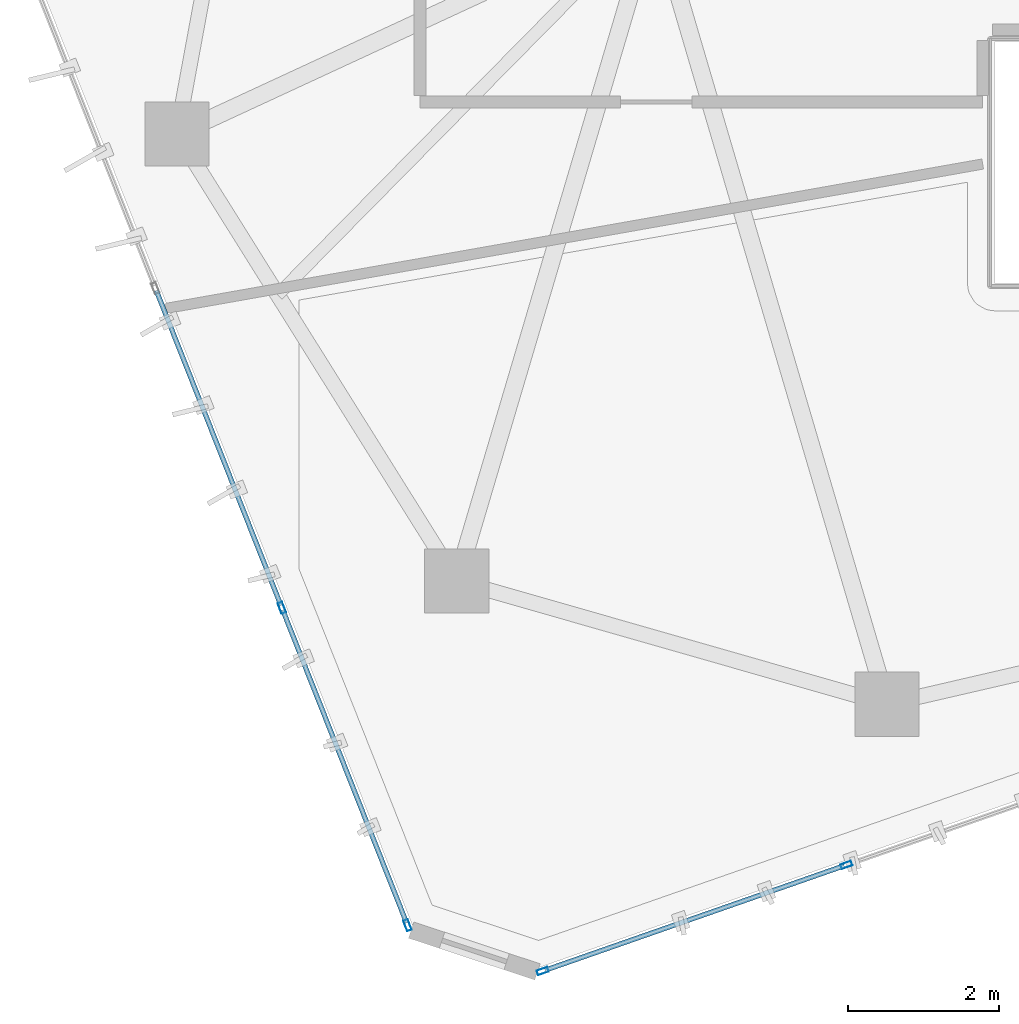
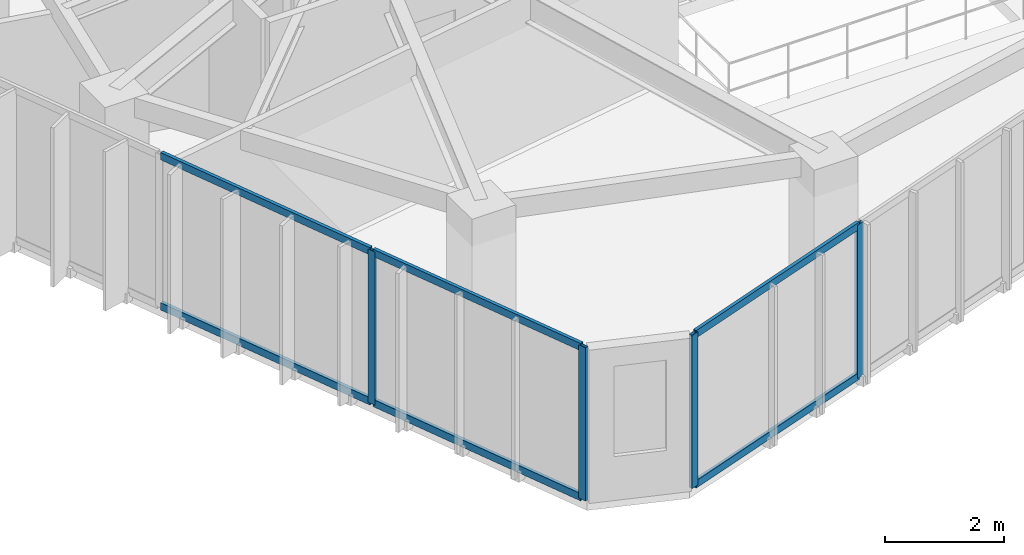
# One storey, part 2 of 20: 10 members, 2 elements without a shape of their own.
"""IFC4 building model written with IfcOpenShell, lengths in metres."""

import ifcopenshell
import ifcopenshell.guid

model = None  # the IFC model being written
_history = None  # IfcOwnerHistory: only IFC2X3 demands one
_inside = {}  # id of a spatial element -> (the spatial element, [elements in it])
_under = {}  # id of a project, library or spatial element -> (it, [spatial elements below it])
_declared = {}  # id of a project -> (the project, [libraries it declares])
_typed = {}  # id of a type object -> (the type object, [elements of that type])
_made_of = {}  # id of a material, layer set ... -> (it, [elements and type objects made of it])


def new_model(schema):
    """Start an empty IFC model of exactly this schema.

    Asked for "IFC4X3", IfcOpenShell would pick the latest addendum, in which some entities
    have other attributes; the version numbers below select the first issue.
    IFC2X3 requires an IfcOwnerHistory on every rooted entity: one is made here for all.
    """
    global model, _history
    if schema == "IFC4X3":
        model = ifcopenshell.file(schema_version=(4, 3, 0, 0))
    else:
        model = ifcopenshell.file(schema=schema)
    _inside.clear()
    _under.clear()
    _declared.clear()
    _typed.clear()
    _made_of.clear()
    _history = None
    if model.schema == "IFC2X3":
        org = make("IfcOrganization", Name="unknown")
        user = make(
            "IfcPersonAndOrganization",
            ThePerson=make("IfcPerson", FamilyName="unknown"),
            TheOrganization=org,
        )
        app = make(
            "IfcApplication",
            ApplicationDeveloper=org,
            Version="unknown",
            ApplicationFullName="unknown",
            ApplicationIdentifier="unknown",
        )
        _history = make(
            "IfcOwnerHistory",
            OwningUser=user,
            OwningApplication=app,
            ChangeAction="ADDED",
            CreationDate=0,
        )
    return model


def make(cls, **values):
    """One entity of the class cls with the attributes given. An attribute that is None is left unset."""
    return model.create_entity(
        cls, **{name: value for name, value in values.items() if value is not None}
    )


def rooted(cls, **values):
    """An entity with a GlobalId (a new one), such as an element, a storey or a relation."""
    return make(cls, GlobalId=ifcopenshell.guid.new(), OwnerHistory=_history, **values)


def si_unit(unit_type, name, prefix=None):
    """IfcSIUnit, for example si_unit("LENGTHUNIT", "METRE", prefix="MILLI")."""
    return make("IfcSIUnit", UnitType=unit_type, Prefix=prefix, Name=name)


def assignment(units):
    """IfcUnitAssignment: the units of a project."""
    return None if units is None else make("IfcUnitAssignment", Units=units)


def point(xyz):
    """IfcCartesianPoint."""
    return None if xyz is None else make("IfcCartesianPoint", Coordinates=xyz)


def direction(xyz):
    """IfcDirection."""
    return None if xyz is None else make("IfcDirection", DirectionRatios=xyz)


def frame(location, z_axis=None, x_axis=None):
    """IfcAxis2Placement3D, a coordinate frame: its origin and axes. An axis left out is left unset."""
    return make(
        "IfcAxis2Placement3D",
        Location=point(location),
        Axis=direction(z_axis),
        RefDirection=direction(x_axis),
    )


def frame_2d(location, x_axis=None):
    """IfcAxis2Placement2D, a coordinate frame in the plane: its origin and x axis."""
    return make(
        "IfcAxis2Placement2D", Location=point(location), RefDirection=direction(x_axis)
    )


def origin():
    """The frame at (0, 0, 0) with its axes left unset."""
    return frame((0.0, 0.0, 0.0))


def origin_2d():
    """The frame at (0, 0) in the plane with its x axis left unset."""
    return frame_2d((0.0, 0.0))


def place(relative_to, where):
    """IfcLocalPlacement: puts the frame where relative to a parent placement (None: the world)."""
    return make(
        "IfcLocalPlacement", PlacementRelTo=relative_to, RelativePlacement=where
    )


def context(
    kind, dimensions, precision=None, world=None, true_north=None, identifier=None
):
    """IfcGeometricRepresentationContext, for example the 3D "Model" context."""
    return make(
        "IfcGeometricRepresentationContext",
        ContextIdentifier=identifier,
        ContextType=kind,
        CoordinateSpaceDimension=dimensions,
        Precision=precision,
        WorldCoordinateSystem=world,
        TrueNorth=true_north,
    )


def subcontext(parent, identifier, kind, view, scale=None):
    """IfcGeometricRepresentationSubContext, for example "Body" below "Model"."""
    return make(
        "IfcGeometricRepresentationSubContext",
        ContextIdentifier=identifier,
        ContextType=kind,
        ParentContext=parent,
        TargetScale=scale,
        TargetView=view,
    )


def project(units=None, contexts=None):
    """IfcProject with its units and contexts."""
    return rooted(
        "IfcProject",
        Name="project",
        RepresentationContexts=contexts,
        UnitsInContext=assignment(units),
    )


def spatial(cls, under=None, at=None, **own):
    """A site, building, storey or space (cls), placed at a placement, below another one or the project."""
    s = rooted(cls, ObjectPlacement=at, **own)
    if under is not None:
        _under.setdefault(under.id(), (under, []))[1].append(s)
    return s


def profile(cls, at=None, kind="AREA", **sizes):
    """A parametric profile (cls). Its sizes go by their IFC names, for example OverallWidth=200.0."""
    return make(cls, ProfileType=kind, Position=at, **sizes)


def hollow_rectangle(**sizes):
    """IfcRectangleHollowProfileDef."""
    return profile("IfcRectangleHollowProfileDef", **sizes)


def extrude(swept, where, along, depth):
    """IfcExtrudedAreaSolid: the profile swept, set in the frame where, extruded along a direction by depth."""
    return make(
        "IfcExtrudedAreaSolid",
        SweptArea=swept,
        Position=where,
        ExtrudedDirection=direction(along),
        Depth=depth,
    )


def shape(context_of_items, identifier, shape_type, items):
    """IfcShapeRepresentation: the items that make up one representation, for example the "Body"."""
    return make(
        "IfcShapeRepresentation",
        ContextOfItems=context_of_items,
        RepresentationIdentifier=identifier,
        RepresentationType=shape_type,
        Items=items,
    )


def source(mapping_origin, context_of_items, identifier, shape_type, items):
    """IfcRepresentationMap: a shape defined once, which mapped items show again and again."""
    return make(
        "IfcRepresentationMap",
        MappingOrigin=mapping_origin,
        MappedRepresentation=shape(context_of_items, identifier, shape_type, items),
    )


def transform(
    local_origin,
    x_axis=None,
    y_axis=None,
    z_axis=None,
    scale=None,
    scale2=None,
    scale3=None,
    uniform=True,
):
    """IfcCartesianTransformationOperator3D, or its non-uniform kind. x_axis, y_axis, z_axis: its Axis1, 2, 3."""
    if uniform:
        return make(
            "IfcCartesianTransformationOperator3D",
            Axis1=direction(x_axis),
            Axis2=direction(y_axis),
            LocalOrigin=point(local_origin),
            Scale=scale,
            Axis3=direction(z_axis),
        )
    return make(
        "IfcCartesianTransformationOperator3DnonUniform",
        Axis1=direction(x_axis),
        Axis2=direction(y_axis),
        LocalOrigin=point(local_origin),
        Scale=scale,
        Axis3=direction(z_axis),
        Scale2=scale2,
        Scale3=scale3,
    )


def mapped(mapping_source, mapping_target):
    """IfcMappedItem: shows the shape of a source again, moved by a transform."""
    return make(
        "IfcMappedItem", MappingSource=mapping_source, MappingTarget=mapping_target
    )


def material(Name=None, Category=None):
    """IfcMaterial."""
    return make("IfcMaterial", Name=Name, Category=Category)


def layer(
    of_material, thickness, ventilated=None, Name=None, Category=None, Priority=None
):
    """IfcMaterialLayer: one layer of a wall or slab, of a material (None: an air gap)."""
    return make(
        "IfcMaterialLayer",
        Material=of_material,
        LayerThickness=thickness,
        IsVentilated=ventilated,
        Name=Name,
        Category=Category,
        Priority=Priority,
    )


def layer_set(layers, Name=None):
    """IfcMaterialLayerSet."""
    return make("IfcMaterialLayerSet", MaterialLayers=layers, LayerSetName=Name)


def material_profile(
    of_material, cross_section, Name=None, Category=None, Priority=None
):
    """IfcMaterialProfile: a cross section and its material."""
    return make(
        "IfcMaterialProfile",
        Name=Name,
        Material=of_material,
        Profile=cross_section,
        Priority=Priority,
        Category=Category,
    )


def profile_set(profiles, Name=None, composite=None):
    """IfcMaterialProfileSet."""
    return make(
        "IfcMaterialProfileSet",
        Name=Name,
        MaterialProfiles=profiles,
        CompositeProfile=composite,
    )


def made_of(thing, what):
    """Note that an element or type object is made of a material, layer set ...; save() writes the relation."""
    if what is not None:
        _made_of.setdefault(what.id(), (what, []))[1].append(thing)
    return thing


def type_object(cls, material=None, **own):
    """A type object (cls), such as IfcWallType, which elements share."""
    return made_of(rooted(cls, **own), material)


def type_shapes(of_type, sources):
    """Give a type object the sources (RepresentationMaps) that its elements show as mapped items."""
    of_type.RepresentationMaps = sources


def element(
    cls,
    number,
    at=None,
    inside=None,
    cuts=None,
    type_object=None,
    material=None,
    context=None,
    identifier="Body",
    shape_type=None,
    held_by="IfcProductDefinitionShape",
    body=None,
    shapes=None,
    **own,
):
    """One element of the class cls, such as IfcWall. Its Tag is "e" and its number.

    at: its placement. inside: the storey or other place that contains it. cuts: it is an
    opening in that element (IfcRelVoidsElement). A single representation is given by context,
    identifier, shape_type and body (its items); several are given by shapes. held_by: the class
    of the entity that holds the representations. save() writes the other relations.
    """
    e = rooted(cls, Tag="e%d" % number, ObjectPlacement=at, **own)
    if body is not None:
        shapes = [shape(context, identifier, shape_type, body)]
    if shapes is not None:
        e.Representation = make(held_by, Representations=shapes)
    if inside is not None:
        _inside.setdefault(inside.id(), (inside, []))[1].append(e)
    if cuts is not None:
        rooted(
            "IfcRelVoidsElement", RelatingBuildingElement=cuts, RelatedOpeningElement=e
        )
    if type_object is not None:
        _typed.setdefault(type_object.id(), (type_object, []))[1].append(e)
    return made_of(e, material)


def aggregate(whole, parts):
    """IfcRelAggregates: a whole, such as a stair, and the parts it consists of."""
    return rooted("IfcRelAggregates", RelatingObject=whole, RelatedObjects=parts)


def save(model, path):
    """Write the relations noted so far, then the file.

    IfcRelAggregates (storeys below a building ...), IfcRelContainedInSpatialStructure (elements
    in a storey), IfcRelDefinesByType, IfcRelAssociatesMaterial and IfcRelDeclares: one each for
    every whole, place, type object, material and project.
    """
    for whole, parts in _under.values():
        aggregate(whole, parts)
    for where, things in _inside.values():
        rooted(
            "IfcRelContainedInSpatialStructure",
            RelatedElements=things,
            RelatingStructure=where,
        )
    for kind, things in _typed.values():
        rooted("IfcRelDefinesByType", RelatedObjects=things, RelatingType=kind)
    for what, things in _made_of.values():
        rooted("IfcRelAssociatesMaterial", RelatedObjects=things, RelatingMaterial=what)
    for by, libraries in _declared.values():
        rooted("IfcRelDeclares", RelatingContext=by, RelatedDefinitions=libraries)
    model.write(path)


model = new_model("IFC4")

# Units and contexts
model_context = context("Model", 3, precision=1e-05, world=origin(), true_north=direction((0.0, 1.0)))
body_context = subcontext(model_context, "Body", "Model", "MODEL_VIEW")
ifc_project = project(units=[si_unit("LENGTHUNIT", "METRE"), si_unit("AREAUNIT", "SQUARE_METRE"), si_unit("VOLUMEUNIT", "CUBIC_METRE"), si_unit("PLANEANGLEUNIT", "RADIAN"), si_unit("MASSUNIT", "GRAM", prefix="KILO")], contexts=[model_context])

# Site, building, storey
site_placement = place(None, origin())
site = spatial("IfcSite", under=ifc_project, at=site_placement, CompositionType="ELEMENT")
building_placement = place(site_placement, origin())
building = spatial("IfcBuilding", under=site, at=building_placement, Name="Talar Marvaseh", CompositionType="ELEMENT")
storey_placement = place(building_placement, frame((0.0, 0.0, 285.0)))
storey = spatial("IfcBuildingStorey", under=building, at=storey_placement, Name="L76", CompositionType="ELEMENT", Elevation=285.0)

# Curtain wall, members
ifc_material = material(Name="Architectural Aluminium", Category="aluminium")
ifc_layer = layer(ifc_material, 0.179931640625)
ifc_layer_set = layer_set([ifc_layer], Name="Architectural Aluminium")
curtain_wall_type = type_object("IfcCurtainWallType", Name="Unitised High-Wind Sky Curtain Wall Z4", PredefinedType="NOTDEFINED", material=ifc_layer_set)
curtain_wall_1_placement = place(storey_placement, origin())
curtain_wall_1 = element("IfcCurtainWall", 1, at=curtain_wall_1_placement, inside=storey, type_object=curtain_wall_type, Name="L76 Unitised High-Wind Sky Curtain Wall Z4", PredefinedType="NOTDEFINED")
ifc_material_profile_1 = material_profile(ifc_material, hollow_rectangle(XDim=0.06494140625, YDim=0.14990234375, WallThickness=0.00390625, at=origin_2d()), Name="RHS150x65x4")
ifc_profile_set_1 = profile_set([ifc_material_profile_1], Name="Architectural Aluminium")
member_type_1 = type_object("IfcMemberType", Name="Unitised Curtain Wall Slim Mullion RHS150x65x4", PredefinedType="MULLION", material=ifc_profile_set_1)
shared_shape_1 = source(origin(), body_context, "Body", "SweptSolid", [
    extrude(hollow_rectangle(XDim=0.06494140625, YDim=0.14990234375, WallThickness=0.00390625, at=origin_2d()), origin(), (0.0, 0.0, 1.0), 3.139892578125),
])
type_shapes(member_type_1, [shared_shape_1])
member_1_placement = place(storey_placement, frame((15.436279296875, 12.117431640625, 0.0), z_axis=(0.0, 0.0, 1.0), x_axis=(-0.929802011572, -0.368060075635, 0.0)))
member_1 = element("IfcMember", 2, at=member_1_placement, type_object=member_type_1, Name="CW-Z4 mullion 1", PredefinedType="MULLION", context=body_context, shape_type="MappedRepresentation", body=[
    mapped(shared_shape_1, transform((0.0, 0.0, 0.0), x_axis=(1.0, 0.0, 0.0), y_axis=(0.0, 1.0, 0.0), z_axis=(0.0, 0.0, 1.0), scale=1.0)),
])
member_2_placement = place(storey_placement, frame((13.775390625, 16.31298828125, 0.0), z_axis=(0.0, 0.0, 1.0), x_axis=(-0.929802011572, -0.368060075635, 0.0)))
member_2 = element("IfcMember", 3, at=member_2_placement, type_object=member_type_1, Name="CW-Z4 mullion 2", PredefinedType="MULLION", context=body_context, shape_type="MappedRepresentation", body=[
    mapped(shared_shape_1, transform((0.0, 0.0, 0.0), x_axis=(1.0, 0.0, 0.0), y_axis=(0.0, 1.0, 0.0), z_axis=(0.0, 0.0, 1.0), scale=1.0)),
])

curtain_wall_2_placement = place(storey_placement, origin())
curtain_wall_2 = element("IfcCurtainWall", 4, at=curtain_wall_2_placement, inside=storey, type_object=curtain_wall_type, Name="L76 Unitised High-Wind Sky Curtain Wall Z4", PredefinedType="NOTDEFINED")
member_3_placement = place(storey_placement, frame((21.239013671875, 12.91357421875, 0.0), z_axis=(0.0, 0.0, 1.0), x_axis=(0.329838044597, -0.94403753333, 0.0)))
member_3 = element("IfcMember", 5, at=member_3_placement, type_object=member_type_1, Name="CW-Z4 mullion 4", PredefinedType="MULLION", context=body_context, shape_type="MappedRepresentation", body=[
    mapped(shared_shape_1, transform((0.0, 0.0, 0.0), x_axis=(1.0, 0.0, 0.0), y_axis=(0.0, 1.0, 0.0), z_axis=(0.0, 0.0, 1.0), scale=1.0)),
])
member_4_placement = place(storey_placement, frame((17.223388671875, 11.510498046875, 0.0), z_axis=(0.0, 0.0, 1.0), x_axis=(0.329838044597, -0.94403753333, 0.0)))
member_4 = element("IfcMember", 6, at=member_4_placement, type_object=member_type_1, Name="CW-Z4 mullion 5", PredefinedType="MULLION", context=body_context, shape_type="MappedRepresentation", body=[
    mapped(shared_shape_1, transform((0.0, 0.0, 0.0), x_axis=(1.0, 0.0, 0.0), y_axis=(0.0, 1.0, 0.0), z_axis=(0.0, 0.0, 1.0), scale=1.0)),
])

# Member
ifc_material_profile_2 = material_profile(ifc_material, hollow_rectangle(XDim=0.06494140625, YDim=0.14990234375, WallThickness=0.00390625, at=origin_2d()), Name="RHS150x65x4")
ifc_profile_set_2 = profile_set([ifc_material_profile_2], Name="Architectural Aluminium")
member_type_2 = type_object("IfcMemberType", Name="Unitised Curtain Wall Slim Transom RHS150x65x4", PredefinedType="USERDEFINED", material=ifc_profile_set_2)
shared_shape_2 = source(origin(), body_context, "Body", "SweptSolid", [
    extrude(hollow_rectangle(XDim=0.06494140625, YDim=0.14990234375, WallThickness=0.00390625, at=origin_2d()), origin(), (0.0, 0.0, 1.0), 4.479736328125),
])
member_5_placement = place(storey_placement, frame((13.763427734375, 16.34326171875, 0.032470703125), z_axis=(-0.36803372695, 0.929812441209, 0.0), x_axis=(-0.929812441209, -0.36803372695, 0.0)))
member_5 = element("IfcMember", 7, at=member_5_placement, type_object=member_type_2, Name="CW-Z4 transom 2.1", ObjectType="TRANSOM", PredefinedType="USERDEFINED", context=body_context, shape_type="MappedRepresentation", body=[
    mapped(shared_shape_2, transform((0.0, 0.0, 0.0), x_axis=(1.0, 0.0, 0.0), y_axis=(0.0, 1.0, 0.0), z_axis=(0.0, 0.0, 1.0), scale=1.0)),
])

member_6_placement = place(storey_placement, frame((13.763427734375, 16.34326171875, 3.107421875), z_axis=(-0.36803372695, 0.929812441209, 0.0), x_axis=(-0.929812441209, -0.36803372695, 0.0)))
member_6 = element("IfcMember", 8, at=member_6_placement, type_object=member_type_2, Name="CW-Z4 transom 2.2", ObjectType="TRANSOM", PredefinedType="USERDEFINED", context=body_context, shape_type="MappedRepresentation", body=[
    mapped(shared_shape_2, transform((0.0, 0.0, 0.0), x_axis=(1.0, 0.0, 0.0), y_axis=(0.0, 1.0, 0.0), z_axis=(0.0, 0.0, 1.0), scale=1.0)),
])

shared_shape_3 = source(origin(), body_context, "Body", "SweptSolid", [
    extrude(hollow_rectangle(XDim=0.06494140625, YDim=0.14990234375, WallThickness=0.00390625, at=origin_2d()), origin(), (0.0, 0.0, 1.0), 4.447509765625),
])
member_7_placement = place(storey_placement, frame((15.42431640625, 12.1474609375, 0.032470703125), z_axis=(-0.368066247815, 0.929799568305, 0.0), x_axis=(-0.929799568305, -0.368066247815, 0.0)))
member_7 = element("IfcMember", 9, at=member_7_placement, type_object=member_type_2, Name="CW-Z4 transom 1.1", ObjectType="TRANSOM", PredefinedType="USERDEFINED", context=body_context, shape_type="MappedRepresentation", body=[
    mapped(shared_shape_3, transform((0.0, 0.0, 0.0), x_axis=(1.0, 0.0, 0.0), y_axis=(0.0, 1.0, 0.0), z_axis=(0.0, 0.0, 1.0), scale=1.0)),
])

member_8_placement = place(storey_placement, frame((15.42431640625, 12.1474609375, 3.107421875), z_axis=(-0.368066247815, 0.929799568305, 0.0), x_axis=(-0.929799568305, -0.368066247815, 0.0)))
member_8 = element("IfcMember", 10, at=member_8_placement, type_object=member_type_2, Name="CW-Z4 transom 1.2", ObjectType="TRANSOM", PredefinedType="USERDEFINED", context=body_context, shape_type="MappedRepresentation", body=[
    mapped(shared_shape_3, transform((0.0, 0.0, 0.0), x_axis=(1.0, 0.0, 0.0), y_axis=(0.0, 1.0, 0.0), z_axis=(0.0, 0.0, 1.0), scale=1.0)),
])

aggregate(curtain_wall_1, [member_1, member_2, member_7, member_8, member_5, member_6])

shared_shape_4 = source(origin(), body_context, "Body", "SweptSolid", [
    extrude(hollow_rectangle(XDim=0.06494140625, YDim=0.14990234375, WallThickness=0.00390625, at=origin_2d()), origin(), (0.0, 0.0, 1.0), 4.188720703125),
])
type_shapes(member_type_2, [shared_shape_2, shared_shape_3, shared_shape_4])
member_9_placement = place(storey_placement, frame((21.20849609375, 12.903076171875, 0.032470703125), z_axis=(-0.944020891098, -0.329885672879, 0.0), x_axis=(0.329885672879, -0.944020891098, 0.0)))
member_9 = element("IfcMember", 11, at=member_9_placement, type_object=member_type_2, Name="CW-Z4 transom 4.1", ObjectType="TRANSOM", PredefinedType="USERDEFINED", context=body_context, shape_type="MappedRepresentation", body=[
    mapped(shared_shape_4, transform((0.0, 0.0, 0.0), x_axis=(1.0, 0.0, 0.0), y_axis=(0.0, 1.0, 0.0), z_axis=(0.0, 0.0, 1.0), scale=1.0)),
])

member_10_placement = place(storey_placement, frame((21.20849609375, 12.903076171875, 3.107421875), z_axis=(-0.944020891098, -0.329885672879, 0.0), x_axis=(0.329885672879, -0.944020891098, 0.0)))
member_10 = element("IfcMember", 12, at=member_10_placement, type_object=member_type_2, Name="CW-Z4 transom 4.2", ObjectType="TRANSOM", PredefinedType="USERDEFINED", context=body_context, shape_type="MappedRepresentation", body=[
    mapped(shared_shape_4, transform((0.0, 0.0, 0.0), x_axis=(1.0, 0.0, 0.0), y_axis=(0.0, 1.0, 0.0), z_axis=(0.0, 0.0, 1.0), scale=1.0)),
])

aggregate(curtain_wall_2, [member_3, member_4, member_9, member_10])

save(model, "model.ifc")
